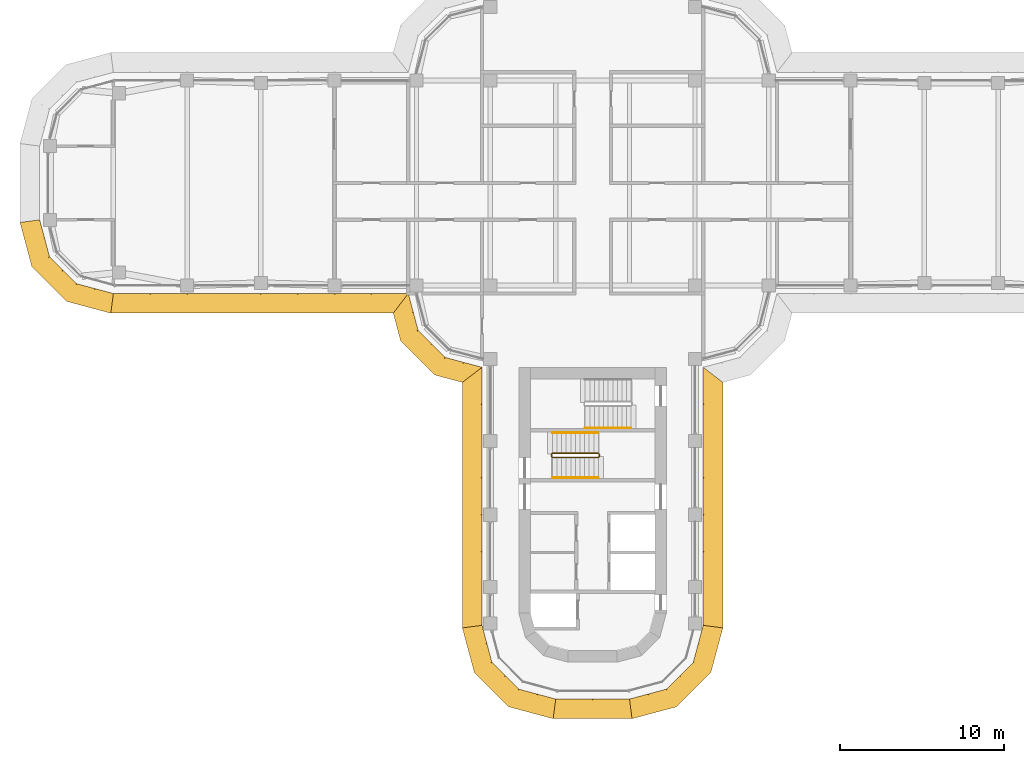
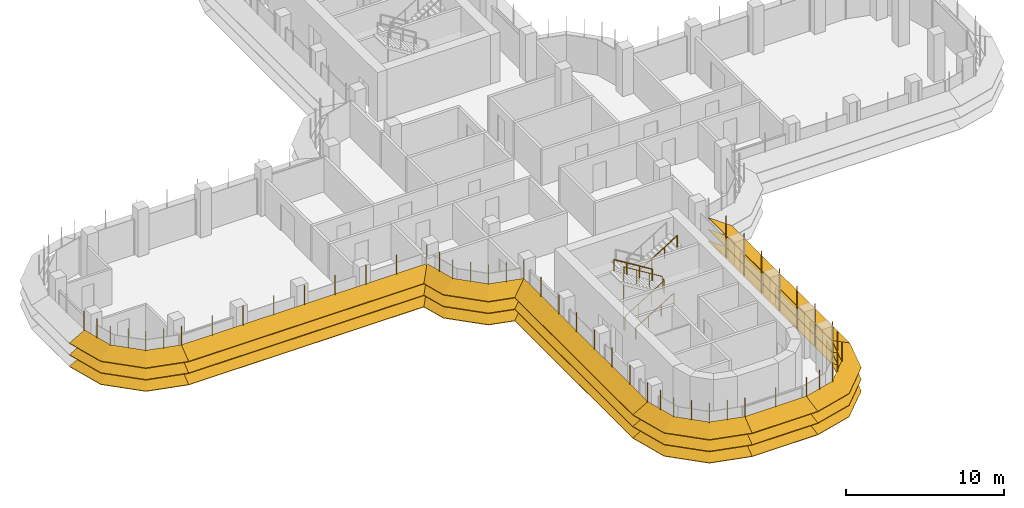
# One storey, part 16 of 19: 8 shading devices, 4 railings.
"""IFC4 building model written with IfcOpenShell, lengths in metres."""

from ifc_helpers import new_model, si_unit, direction, frame, origin, origin_2d, place, context, subcontext, project, spatial, polyline, circle, outline, extrude, faceted_brep, source, transform, mapped, material, type_object, element, save


model = new_model("IFC4")

# Units and contexts
model_context = context("Model", 3, precision=1e-05, world=origin(), true_north=direction((0.0, 1.0)))
body_context = subcontext(model_context, "Body", "Model", "MODEL_VIEW")
ifc_project = project(units=[si_unit("LENGTHUNIT", "METRE"), si_unit("AREAUNIT", "SQUARE_METRE"), si_unit("VOLUMEUNIT", "CUBIC_METRE"), si_unit("PLANEANGLEUNIT", "RADIAN"), si_unit("MASSUNIT", "GRAM", prefix="KILO")], contexts=[model_context])

# Site, building, storey
site_placement = place(None, origin())
site = spatial("IfcSite", under=ifc_project, at=site_placement, CompositionType="ELEMENT")
building_placement = place(site_placement, origin())
building = spatial("IfcBuilding", under=site, at=building_placement, Name="Zarbagh Exchange Tower", CompositionType="ELEMENT")
storey_placement = place(building_placement, frame((0.0, 0.0, 160.0)))
storey = spatial("IfcBuildingStorey", under=building, at=storey_placement, Name="L38", CompositionType="ELEMENT", Elevation=160.0)

# Railings
ifc_material_1 = material(Name="Stainless steel", Category="steel")
railing_type_1 = type_object("IfcRailingType", Name="Stair guard 1100 mm", PredefinedType="GUARDRAIL", material=ifc_material_1)
railing_1_placement = place(storey_placement, frame((0.35009765625, -16.5, 2.07275390625)))
element("IfcRailing", 1, at=railing_1_placement, inside=storey, type_object=railing_type_1, Name="ST3 stair guard 1", PredefinedType="GUARDRAIL", context=body_context, shape_type="SweptSolid", body=[
    extrude(circle(Radius=0.02392578125, at=origin_2d()), frame((0.0, 0.0, 1.076171875), z_axis=(-0.851089632645, 0.0, 0.525020415988), x_axis=(0.0, -1.0, 0.0)), (0.0, 0.0, 1.0), 3.2900390625),
    extrude(circle(Radius=0.02392578125, at=origin_2d()), frame((-2.800048828125, 0.0, 2.80322265625), z_axis=(-0.013168290981, -0.013168290981, -0.999826581076), x_axis=(0.707106781187, -0.707106781187, 0.0)), (0.0, 0.0, 1.0), 3.80078125),
    extrude(circle(Radius=0.02392578125, at=origin_2d()), frame((-2.85009765625, -0.050048828125, -0.99658203125), z_axis=(0.0, -1.0, 0.0), x_axis=(1.0, 0.0, 0.0)), (0.0, 0.0, 1.0), 0.14990234375),
    extrude(circle(Radius=0.02392578125, at=origin_2d()), frame((-2.85009765625, -0.199951171875, -0.99658203125), z_axis=(0.268277960024, -0.268277960024, 0.925231793839), x_axis=(0.707106781187, 0.707106781187, 0.0)), (0.0, 0.0, 1.0), 0.1865234375),
    extrude(circle(Radius=0.02392578125, at=origin_2d()), frame((-2.800048828125, -0.25, -0.82421875), z_axis=(0.851089632645, 0.0, 0.525020415988), x_axis=(0.0, 1.0, 0.0)), (0.0, 0.0, 1.0), 3.2900390625),
    extrude(circle(Radius=0.02392578125, at=origin_2d()), frame((0.0, -0.25, 0.9033203125), z_axis=(0.705375805398, 0.708833529934, 0.0), x_axis=(-0.708833529934, 0.705375805398, 0.0)), (0.0, 0.0, 1.0), 0.070556640625),
    extrude(circle(Radius=0.02392578125, at=origin_2d()), frame((0.0498046875, -0.199951171875, 0.9033203125), z_axis=(0.0, 1.0, 0.0), x_axis=(-1.0, 0.0, 0.0)), (0.0, 0.0, 1.0), 0.14990234375),
    extrude(circle(Radius=0.02099609375, at=origin_2d()), origin(), (0.0, 0.0, 1.0), 1.052001953125),
    extrude(circle(Radius=0.02099609375, at=origin_2d()), frame((-0.933349609375, 0.0, 0.57568359375)), (0.0, 0.0, 1.0), 1.052001953125),
    extrude(circle(Radius=0.02099609375, at=origin_2d()), frame((-1.86669921875, 0.0, 1.151611328125)), (0.0, 0.0, 1.0), 1.052001953125),
    extrude(circle(Radius=0.02099609375, at=origin_2d()), frame((-2.800048828125, 0.0, 1.727294921875)), (0.0, 0.0, 1.0), 1.052001953125),
    extrude(circle(Radius=0.02099609375, at=origin_2d()), frame((-2.8125, -0.012451171875, 0.77734375)), (0.0, 0.0, 1.0), 1.052001953125),
    extrude(circle(Radius=0.02099609375, at=origin_2d()), frame((-2.8251953125, -0.02490234375, -0.1728515625)), (0.0, 0.0, 1.0), 1.052001953125),
    extrude(circle(Radius=0.02099609375, at=origin_2d()), frame((-2.837646484375, -0.03759765625, -1.122802734375)), (0.0, 0.0, 1.0), 1.052001953125),
    extrude(circle(Radius=0.02099609375, at=origin_2d()), frame((-2.85009765625, -0.050048828125, -2.07275390625)), (0.0, 0.0, 1.0), 1.052001953125),
    extrude(circle(Radius=0.02099609375, at=origin_2d()), frame((-2.85009765625, -0.199951171875, -2.07275390625)), (0.0, 0.0, 1.0), 1.052001953125),
    extrude(circle(Radius=0.02099609375, at=origin_2d()), frame((-2.800048828125, -0.25, -1.900146484375)), (0.0, 0.0, 1.0), 1.052001953125),
    extrude(circle(Radius=0.02099609375, at=origin_2d()), frame((-1.86669921875, -0.25, -1.324462890625)), (0.0, 0.0, 1.0), 1.052001953125),
    extrude(circle(Radius=0.02099609375, at=origin_2d()), frame((-0.933349609375, -0.25, -0.74853515625)), (0.0, 0.0, 1.0), 1.052001953125),
    extrude(circle(Radius=0.02099609375, at=origin_2d()), frame((0.0, -0.25, -0.1728515625)), (0.0, 0.0, 1.0), 1.052001953125),
    extrude(circle(Radius=0.02099609375, at=origin_2d()), frame((0.0498046875, -0.199951171875, -0.1728515625)), (0.0, 0.0, 1.0), 1.052001953125),
    extrude(circle(Radius=0.02099609375, at=origin_2d()), frame((0.0498046875, -0.050048828125, -0.1728515625)), (0.0, 0.0, 1.0), 1.052001953125),
])
railing_type_2 = type_object("IfcRailingType", Name="Stair handrail 900 mm", PredefinedType="HANDRAIL", material=ifc_material_1)
railing_2_placement = place(storey_placement, frame((-2.449951171875, -18.0, 0.172607421875)))
element("IfcRailing", 2, at=railing_2_placement, inside=storey, type_object=railing_type_2, Name="ST3 stair handrail 1", PredefinedType="HANDRAIL", context=body_context, shape_type="SweptSolid", body=[
    extrude(circle(Radius=0.02392578125, at=origin_2d()), frame((0.0, 0.0, 0.8759765625), z_axis=(0.851089632645, 0.0, 0.525020415988), x_axis=(0.0, 1.0, 0.0)), (0.0, 0.0, 1.0), 3.2900390625),
    extrude(circle(Radius=0.02099609375, at=origin_2d()), origin(), (0.0, 0.0, 1.0), 0.851806640625),
    extrude(circle(Radius=0.02099609375, at=origin_2d()), frame((0.933349609375, 0.0, 0.57568359375)), (0.0, 0.0, 1.0), 0.851806640625),
    extrude(circle(Radius=0.02099609375, at=origin_2d()), frame((1.86669921875, 0.0, 1.151611328125)), (0.0, 0.0, 1.0), 0.851806640625),
    extrude(circle(Radius=0.02099609375, at=origin_2d()), frame((2.800048828125, 0.0, 1.727294921875)), (0.0, 0.0, 1.0), 0.851806640625),
])
railing_3_placement = place(storey_placement, frame((0.35009765625, -15.25, 2.07275390625)))
element("IfcRailing", 3, at=railing_3_placement, inside=storey, type_object=railing_type_2, Name="ST3 stair handrail 2", PredefinedType="HANDRAIL", context=body_context, shape_type="SweptSolid", body=[
    extrude(circle(Radius=0.02392578125, at=origin_2d()), frame((0.0, 0.0, 0.8759765625), z_axis=(-0.851089632645, 0.0, 0.525020415988), x_axis=(0.0, -1.0, 0.0)), (0.0, 0.0, 1.0), 3.2900390625),
    extrude(circle(Radius=0.02099609375, at=origin_2d()), origin(), (0.0, 0.0, 1.0), 0.851806640625),
    extrude(circle(Radius=0.02099609375, at=origin_2d()), frame((-0.933349609375, 0.0, 0.57568359375)), (0.0, 0.0, 1.0), 0.851806640625),
    extrude(circle(Radius=0.02099609375, at=origin_2d()), frame((-1.86669921875, 0.0, 1.151611328125)), (0.0, 0.0, 1.0), 0.851806640625),
    extrude(circle(Radius=0.02099609375, at=origin_2d()), frame((-2.800048828125, 0.0, 1.727294921875)), (0.0, 0.0, 1.0), 0.851806640625),
])
railing_4_placement = place(storey_placement, frame((-0.449951171875, -14.949951171875, 2.07275390625)))
element("IfcRailing", 4, at=railing_4_placement, inside=storey, type_object=railing_type_2, Name="ST4 stair handrail 2", PredefinedType="HANDRAIL", context=body_context, shape_type="SweptSolid", body=[
    extrude(circle(Radius=0.02392578125, at=origin_2d()), frame((0.0, 0.0, 0.8759765625), z_axis=(0.851089632645, 0.0, 0.525020415988), x_axis=(0.0, 1.0, 0.0)), (0.0, 0.0, 1.0), 3.2900390625),
    extrude(circle(Radius=0.02099609375, at=origin_2d()), origin(), (0.0, 0.0, 1.0), 0.851806640625),
    extrude(circle(Radius=0.02099609375, at=origin_2d()), frame((0.933349609375, 0.0, 0.57568359375)), (0.0, 0.0, 1.0), 0.851806640625),
    extrude(circle(Radius=0.02099609375, at=origin_2d()), frame((1.86669921875, 0.0, 1.151611328125)), (0.0, 0.0, 1.0), 0.851806640625),
    extrude(circle(Radius=0.02099609375, at=origin_2d()), frame((2.800048828125, 0.0, 1.727294921875)), (0.0, 0.0, 1.0), 0.851806640625),
])

# Shading devices
ifc_material_2 = material(Name="Anodised aluminium blades and brackets", Category="aluminium")
shading_device_type = type_object("IfcShadingDeviceType", Name="SUNSHADE louvre band, 22.5 degree blades", PredefinedType="JALOUSIE", material=ifc_material_2)
shared_shape_1 = source(origin(), body_context, "Body", "Brep", [
    faceted_brep([(0.0, 0.0, 0.0), (0.0, 0.0, -0.043212890625), (-0.157958984375, -1.199951171875, -0.540283203125), (-0.157958984375, -1.199951171875, -0.4970703125), (2.65087890625, -1.199951171875, -0.4970703125), (2.65087890625, -1.199951171875, -0.540283203125), (2.329345703125, 0.0, -0.043212890625), (2.329345703125, 0.0, 0.0)], [[[0, 1, 2, 3]], [[4, 5, 6, 7]], [[0, 7, 6, 1]], [[1, 6, 5, 2]], [[2, 5, 4, 3]], [[3, 4, 7, 0]]]),
])
shared_shape_2 = source(origin(), body_context, "Body", "Brep", [
    faceted_brep([(0.0, 0.0, 0.0), (0.0, 0.0, -0.043212890625), (-0.321533203125, -1.199951171875, -0.540283203125), (-0.321533203125, -1.199951171875, -0.4970703125), (2.65087890625, -1.199951171875, -0.4970703125), (2.65087890625, -1.199951171875, -0.540283203125), (2.329345703125, 0.0, -0.043212890625), (2.329345703125, 0.0, 0.0)], [[[0, 1, 2, 3]], [[4, 5, 6, 7]], [[0, 7, 6, 1]], [[1, 6, 5, 2]], [[2, 5, 4, 3]], [[3, 4, 7, 0]]]),
])
shared_shape_3 = source(origin(), body_context, "Body", "Brep", [
    faceted_brep([(0.0, 0.0, 0.0), (0.0, 0.0, -0.043212890625), (-0.321533203125, -1.199951171875, -0.540283203125), (-0.321533203125, -1.199951171875, -0.4970703125), (2.4873046875, -1.199951171875, -0.4970703125), (2.4873046875, -1.199951171875, -0.540283203125), (2.329345703125, 0.0, -0.043212890625), (2.329345703125, 0.0, 0.0)], [[[0, 1, 2, 3]], [[4, 5, 6, 7]], [[0, 7, 6, 1]], [[1, 6, 5, 2]], [[2, 5, 4, 3]], [[3, 4, 7, 0]]]),
])
shared_shape_4 = source(origin(), body_context, "Body", "SweptSolid", [
    extrude(outline(polyline([(0.0, -0.012451171875), (0.06005859375, -0.012451171875), (0.06005859375, 0.012451171875), (0.0, 0.012451171875), (0.0, -0.012451171875)])), origin(), (0.0, 0.0, 1.0), 3.353271484375),
])
placement = place(storey_placement, origin())
element("IfcShadingDevice", 5, at=placement, inside=storey, type_object=shading_device_type, Name="SS35 sunshade band", PredefinedType="JALOUSIE", context=body_context, shape_type="MappedRepresentation", body=[
    mapped(shared_shape_1, transform((2.25, -31.5, 2.300048828125), x_axis=(0.965924289636, 0.258824779902, 0.0), y_axis=(-0.258824779902, 0.965924289636, 0.0), z_axis=(0.0, 0.0, 1.0))),
    mapped(shared_shape_1, transform((2.25, -31.5, 1.39990234375), x_axis=(0.965924289636, 0.258824779902, 0.0), y_axis=(-0.258824779902, 0.965924289636, 0.0), z_axis=(0.0, 0.0, 1.0))),
    mapped(shared_shape_1, transform((2.25, -31.5, 0.5), x_axis=(0.965924289636, 0.258824779902, 0.0), y_axis=(-0.258824779902, 0.965924289636, 0.0), z_axis=(0.0, 0.0, 1.0))),
    mapped(shared_shape_2, transform((4.5, -30.897216796875, 2.300048828125), x_axis=(0.707106781187, 0.707106781187, 0.0), y_axis=(-0.707106781187, 0.707106781187, 0.0), z_axis=(0.0, 0.0, 1.0))),
    mapped(shared_shape_2, transform((4.5, -30.897216796875, 1.39990234375), x_axis=(0.707106781187, 0.707106781187, 0.0), y_axis=(-0.707106781187, 0.707106781187, 0.0), z_axis=(0.0, 0.0, 1.0))),
    mapped(shared_shape_2, transform((4.5, -30.897216796875, 0.5), x_axis=(0.707106781187, 0.707106781187, 0.0), y_axis=(-0.707106781187, 0.707106781187, 0.0), z_axis=(0.0, 0.0, 1.0))),
    mapped(shared_shape_3, transform((6.147216796875, -29.25, 2.300048828125), x_axis=(0.258824779902, 0.965924289636, 0.0), y_axis=(-0.965924289636, 0.258824779902, 0.0), z_axis=(0.0, 0.0, 1.0))),
    mapped(shared_shape_3, transform((6.147216796875, -29.25, 1.39990234375), x_axis=(0.258824779902, 0.965924289636, 0.0), y_axis=(-0.965924289636, 0.258824779902, 0.0), z_axis=(0.0, 0.0, 1.0))),
    mapped(shared_shape_3, transform((6.147216796875, -29.25, 0.5), x_axis=(0.258824779902, 0.965924289636, 0.0), y_axis=(-0.965924289636, 0.258824779902, 0.0), z_axis=(0.0, 0.0, 1.0))),
    mapped(shared_shape_4, transform((2.25, -31.5, 0.4267578125), x_axis=(0.130529263012, -0.991444457092, 0.0), y_axis=(0.991444457092, 0.130529263012, 0.0), z_axis=(0.0, 0.0, 1.0))),
    mapped(shared_shape_4, transform((3.375, -31.198486328125, 0.4267578125), x_axis=(0.258825058029, -0.96592421511, 0.0), y_axis=(0.96592421511, 0.258825058029, 0.0), z_axis=(0.0, 0.0, 1.0))),
    mapped(shared_shape_4, transform((4.5, -30.897216796875, 0.4267578125), x_axis=(0.50000275701, -0.866023812018, 0.0), y_axis=(0.866023812018, 0.50000275701, 0.0), z_axis=(0.0, 0.0, 1.0))),
    mapped(shared_shape_4, transform((5.323486328125, -30.073486328125, 0.4267578125), x_axis=(0.707106781187, -0.707106781187, 0.0), y_axis=(0.707106781187, 0.707106781187, 0.0), z_axis=(0.0, 0.0, 1.0))),
    mapped(shared_shape_4, transform((6.147216796875, -29.25, 0.4267578125), x_axis=(0.866023812018, -0.50000275701, 0.0), y_axis=(0.50000275701, 0.866023812018, 0.0), z_axis=(0.0, 0.0, 1.0))),
    mapped(shared_shape_4, transform((6.448486328125, -28.125, 0.4267578125), x_axis=(0.96592421511, -0.258825058029, 0.0), y_axis=(0.258825058029, 0.96592421511, 0.0), z_axis=(0.0, 0.0, 1.0))),
])
element("IfcShadingDevice", 6, at=placement, inside=storey, type_object=shading_device_type, Name="SS19 sunshade band", PredefinedType="JALOUSIE", context=body_context, shape_type="MappedRepresentation", body=[
    mapped(shared_shape_1, transform((-33.75, -2.25, 2.300048828125), x_axis=(0.258824779902, -0.965924289636, 0.0), y_axis=(0.965924289636, 0.258824779902, 0.0), z_axis=(0.0, 0.0, 1.0))),
    mapped(shared_shape_1, transform((-33.75, -2.25, 1.39990234375), x_axis=(0.258824779902, -0.965924289636, 0.0), y_axis=(0.965924289636, 0.258824779902, 0.0), z_axis=(0.0, 0.0, 1.0))),
    mapped(shared_shape_1, transform((-33.75, -2.25, 0.5), x_axis=(0.258824779902, -0.965924289636, 0.0), y_axis=(0.965924289636, 0.258824779902, 0.0), z_axis=(0.0, 0.0, 1.0))),
    mapped(shared_shape_2, transform((-33.147216796875, -4.5, 2.300048828125), x_axis=(0.707106781187, -0.707106781187, 0.0), y_axis=(0.707106781187, 0.707106781187, 0.0), z_axis=(0.0, 0.0, 1.0))),
    mapped(shared_shape_2, transform((-33.147216796875, -4.5, 1.39990234375), x_axis=(0.707106781187, -0.707106781187, 0.0), y_axis=(0.707106781187, 0.707106781187, 0.0), z_axis=(0.0, 0.0, 1.0))),
    mapped(shared_shape_2, transform((-33.147216796875, -4.5, 0.5), x_axis=(0.707106781187, -0.707106781187, 0.0), y_axis=(0.707106781187, 0.707106781187, 0.0), z_axis=(0.0, 0.0, 1.0))),
    mapped(shared_shape_3, transform((-31.5, -6.147216796875, 2.300048828125), x_axis=(0.965924289636, -0.258824779902, 0.0), y_axis=(0.258824779902, 0.965924289636, 0.0), z_axis=(0.0, 0.0, 1.0))),
    mapped(shared_shape_3, transform((-31.5, -6.147216796875, 1.39990234375), x_axis=(0.965924289636, -0.258824779902, 0.0), y_axis=(0.258824779902, 0.965924289636, 0.0), z_axis=(0.0, 0.0, 1.0))),
    mapped(shared_shape_3, transform((-31.5, -6.147216796875, 0.5), x_axis=(0.965924289636, -0.258824779902, 0.0), y_axis=(0.258824779902, 0.965924289636, 0.0), z_axis=(0.0, 0.0, 1.0))),
    mapped(shared_shape_4, transform((-33.75, -2.25, 0.4267578125), x_axis=(-0.991444457092, -0.130529263012, 0.0), y_axis=(0.130529263012, -0.991444457092, 0.0), z_axis=(0.0, 0.0, 1.0))),
    mapped(shared_shape_4, transform((-33.448486328125, -3.375, 0.4267578125), x_axis=(-0.96592421511, -0.258825058029, 0.0), y_axis=(0.258825058029, -0.96592421511, 0.0), z_axis=(0.0, 0.0, 1.0))),
    mapped(shared_shape_4, transform((-33.147216796875, -4.5, 0.4267578125), x_axis=(-0.866023812018, -0.50000275701, 0.0), y_axis=(0.50000275701, -0.866023812018, 0.0), z_axis=(0.0, 0.0, 1.0))),
    mapped(shared_shape_4, transform((-32.323486328125, -5.323486328125, 0.4267578125), x_axis=(-0.707106781187, -0.707106781187, 0.0), y_axis=(0.707106781187, -0.707106781187, 0.0), z_axis=(0.0, 0.0, 1.0))),
    mapped(shared_shape_4, transform((-31.5, -6.147216796875, 0.4267578125), x_axis=(-0.50000275701, -0.866023812018, 0.0), y_axis=(0.866023812018, -0.50000275701, 0.0), z_axis=(0.0, 0.0, 1.0))),
    mapped(shared_shape_4, transform((-30.375, -6.448486328125, 0.4267578125), x_axis=(-0.258825058029, -0.96592421511, 0.0), y_axis=(0.96592421511, -0.258825058029, 0.0), z_axis=(0.0, 0.0, 1.0))),
])
element("IfcShadingDevice", 7, at=placement, inside=storey, type_object=shading_device_type, Name="SS38 sunshade band", PredefinedType="JALOUSIE", context=body_context, shape_type="MappedRepresentation", body=[
    mapped(shared_shape_1, transform((-6.75, -27.0, 2.300048828125), x_axis=(0.258824779902, -0.965924289636, 0.0), y_axis=(0.965924289636, 0.258824779902, 0.0), z_axis=(0.0, 0.0, 1.0))),
    mapped(shared_shape_1, transform((-6.75, -27.0, 1.39990234375), x_axis=(0.258824779902, -0.965924289636, 0.0), y_axis=(0.965924289636, 0.258824779902, 0.0), z_axis=(0.0, 0.0, 1.0))),
    mapped(shared_shape_1, transform((-6.75, -27.0, 0.5), x_axis=(0.258824779902, -0.965924289636, 0.0), y_axis=(0.965924289636, 0.258824779902, 0.0), z_axis=(0.0, 0.0, 1.0))),
    mapped(shared_shape_2, transform((-6.147216796875, -29.25, 2.300048828125), x_axis=(0.707106781187, -0.707106781187, 0.0), y_axis=(0.707106781187, 0.707106781187, 0.0), z_axis=(0.0, 0.0, 1.0))),
    mapped(shared_shape_2, transform((-6.147216796875, -29.25, 1.39990234375), x_axis=(0.707106781187, -0.707106781187, 0.0), y_axis=(0.707106781187, 0.707106781187, 0.0), z_axis=(0.0, 0.0, 1.0))),
    mapped(shared_shape_2, transform((-6.147216796875, -29.25, 0.5), x_axis=(0.707106781187, -0.707106781187, 0.0), y_axis=(0.707106781187, 0.707106781187, 0.0), z_axis=(0.0, 0.0, 1.0))),
    mapped(shared_shape_3, transform((-4.5, -30.897216796875, 2.300048828125), x_axis=(0.965924289636, -0.258824779902, 0.0), y_axis=(0.258824779902, 0.965924289636, 0.0), z_axis=(0.0, 0.0, 1.0))),
    mapped(shared_shape_3, transform((-4.5, -30.897216796875, 1.39990234375), x_axis=(0.965924289636, -0.258824779902, 0.0), y_axis=(0.258824779902, 0.965924289636, 0.0), z_axis=(0.0, 0.0, 1.0))),
    mapped(shared_shape_3, transform((-4.5, -30.897216796875, 0.5), x_axis=(0.965924289636, -0.258824779902, 0.0), y_axis=(0.258824779902, 0.965924289636, 0.0), z_axis=(0.0, 0.0, 1.0))),
    mapped(shared_shape_4, transform((-6.75, -27.0, 0.4267578125), x_axis=(-0.991444457092, -0.130529263012, 0.0), y_axis=(0.130529263012, -0.991444457092, 0.0), z_axis=(0.0, 0.0, 1.0))),
    mapped(shared_shape_4, transform((-6.448486328125, -28.125, 0.4267578125), x_axis=(-0.96592421511, -0.258825058029, 0.0), y_axis=(0.258825058029, -0.96592421511, 0.0), z_axis=(0.0, 0.0, 1.0))),
    mapped(shared_shape_4, transform((-6.147216796875, -29.25, 0.4267578125), x_axis=(-0.866023812018, -0.50000275701, 0.0), y_axis=(0.50000275701, -0.866023812018, 0.0), z_axis=(0.0, 0.0, 1.0))),
    mapped(shared_shape_4, transform((-5.323486328125, -30.073486328125, 0.4267578125), x_axis=(-0.707106781187, -0.707106781187, 0.0), y_axis=(0.707106781187, -0.707106781187, 0.0), z_axis=(0.0, 0.0, 1.0))),
    mapped(shared_shape_4, transform((-4.5, -30.897216796875, 0.4267578125), x_axis=(-0.50000275701, -0.866023812018, 0.0), y_axis=(0.866023812018, -0.50000275701, 0.0), z_axis=(0.0, 0.0, 1.0))),
    mapped(shared_shape_4, transform((-3.375, -31.198486328125, 0.4267578125), x_axis=(-0.258825058029, -0.96592421511, 0.0), y_axis=(0.96592421511, -0.258825058029, 0.0), z_axis=(0.0, 0.0, 1.0))),
])
shared_shape_5 = source(origin(), body_context, "Body", "Brep", [
    faceted_brep([(0.0, 0.0, 0.0), (0.0, 0.0, -0.043212890625), (0.9208984375, -1.199951171875, -0.540283203125), (0.9208984375, -1.199951171875, -0.4970703125), (2.65087890625, -1.199951171875, -0.4970703125), (2.65087890625, -1.199951171875, -0.540283203125), (2.329345703125, 0.0, -0.043212890625), (2.329345703125, 0.0, 0.0)], [[[0, 1, 2, 3]], [[4, 5, 6, 7]], [[0, 7, 6, 1]], [[1, 6, 5, 2]], [[2, 5, 4, 3]], [[3, 4, 7, 0]]]),
])
shared_shape_6 = source(origin(), body_context, "Body", "Brep", [
    faceted_brep([(0.0, 0.0, 0.0), (0.0, 0.0, -0.043212890625), (-0.321533203125, -1.199951171875, -0.540283203125), (-0.321533203125, -1.199951171875, -0.4970703125), (1.40869140625, -1.199951171875, -0.4970703125), (1.40869140625, -1.199951171875, -0.540283203125), (2.329345703125, 0.0, -0.043212890625), (2.329345703125, 0.0, 0.0)], [[[0, 1, 2, 3]], [[4, 5, 6, 7]], [[0, 7, 6, 1]], [[1, 6, 5, 2]], [[2, 5, 4, 3]], [[3, 4, 7, 0]]]),
])
element("IfcShadingDevice", 8, at=placement, inside=storey, type_object=shading_device_type, Name="SS21 sunshade band", PredefinedType="JALOUSIE", context=body_context, shape_type="MappedRepresentation", body=[
    mapped(shared_shape_5, transform((-11.25, -6.75, 2.300048828125), x_axis=(0.258824779902, -0.965924289636, 0.0), y_axis=(0.965924289636, 0.258824779902, 0.0), z_axis=(0.0, 0.0, 1.0))),
    mapped(shared_shape_5, transform((-11.25, -6.75, 1.39990234375), x_axis=(0.258824779902, -0.965924289636, 0.0), y_axis=(0.965924289636, 0.258824779902, 0.0), z_axis=(0.0, 0.0, 1.0))),
    mapped(shared_shape_5, transform((-11.25, -6.75, 0.5), x_axis=(0.258824779902, -0.965924289636, 0.0), y_axis=(0.965924289636, 0.258824779902, 0.0), z_axis=(0.0, 0.0, 1.0))),
    mapped(shared_shape_2, transform((-10.647216796875, -9.0, 2.300048828125), x_axis=(0.707106781187, -0.707106781187, 0.0), y_axis=(0.707106781187, 0.707106781187, 0.0), z_axis=(0.0, 0.0, 1.0))),
    mapped(shared_shape_2, transform((-10.647216796875, -9.0, 1.39990234375), x_axis=(0.707106781187, -0.707106781187, 0.0), y_axis=(0.707106781187, 0.707106781187, 0.0), z_axis=(0.0, 0.0, 1.0))),
    mapped(shared_shape_2, transform((-10.647216796875, -9.0, 0.5), x_axis=(0.707106781187, -0.707106781187, 0.0), y_axis=(0.707106781187, 0.707106781187, 0.0), z_axis=(0.0, 0.0, 1.0))),
    mapped(shared_shape_6, transform((-9.0, -10.647216796875, 2.300048828125), x_axis=(0.965924289636, -0.258824779902, 0.0), y_axis=(0.258824779902, 0.965924289636, 0.0), z_axis=(0.0, 0.0, 1.0))),
    mapped(shared_shape_6, transform((-9.0, -10.647216796875, 1.39990234375), x_axis=(0.965924289636, -0.258824779902, 0.0), y_axis=(0.258824779902, 0.965924289636, 0.0), z_axis=(0.0, 0.0, 1.0))),
    mapped(shared_shape_6, transform((-9.0, -10.647216796875, 0.5), x_axis=(0.965924289636, -0.258824779902, 0.0), y_axis=(0.258824779902, 0.965924289636, 0.0), z_axis=(0.0, 0.0, 1.0))),
    mapped(shared_shape_4, transform((-11.25, -6.75, 0.4267578125), x_axis=(-0.608758892, -0.793355287, 0.0), y_axis=(0.793355287, -0.608758892, 0.0), z_axis=(0.0, 0.0, 1.0))),
    mapped(shared_shape_4, transform((-10.948486328125, -7.875, 0.4267578125), x_axis=(-0.96592421511, -0.258825058029, 0.0), y_axis=(0.258825058029, -0.96592421511, 0.0), z_axis=(0.0, 0.0, 1.0))),
    mapped(shared_shape_4, transform((-10.647216796875, -9.0, 0.4267578125), x_axis=(-0.866023812018, -0.50000275701, 0.0), y_axis=(0.50000275701, -0.866023812018, 0.0), z_axis=(0.0, 0.0, 1.0))),
    mapped(shared_shape_4, transform((-9.823486328125, -9.823486328125, 0.4267578125), x_axis=(-0.707106781187, -0.707106781187, 0.0), y_axis=(0.707106781187, -0.707106781187, 0.0), z_axis=(0.0, 0.0, 1.0))),
    mapped(shared_shape_4, transform((-9.0, -10.647216796875, 0.4267578125), x_axis=(-0.50000275701, -0.866023812018, 0.0), y_axis=(0.866023812018, -0.50000275701, 0.0), z_axis=(0.0, 0.0, 1.0))),
    mapped(shared_shape_4, transform((-7.875, -10.948486328125, 0.4267578125), x_axis=(-0.258825058029, -0.96592421511, 0.0), y_axis=(0.96592421511, -0.258825058029, 0.0), z_axis=(0.0, 0.0, 1.0))),
])
shared_shape_7 = source(origin(), body_context, "Body", "Brep", [
    faceted_brep([(0.0, 0.0, 0.0), (0.0, 0.0, -0.043212890625), (-0.157958984375, -1.199951171875, -0.540283203125), (-0.157958984375, -1.199951171875, -0.4970703125), (14.8291015625, -1.199951171875, -0.4970703125), (14.8291015625, -1.199951171875, -0.540283203125), (15.75, 0.0, -0.043212890625), (15.75, 0.0, 0.0)], [[[0, 1, 2, 3]], [[4, 5, 6, 7]], [[0, 7, 6, 1]], [[1, 6, 5, 2]], [[2, 5, 4, 3]], [[3, 4, 7, 0]]]),
])
element("IfcShadingDevice", 9, at=placement, inside=storey, type_object=shading_device_type, Name="SS36 sunshade band", PredefinedType="JALOUSIE", context=body_context, shape_type="MappedRepresentation", body=[
    mapped(shared_shape_7, transform((6.75, -27.0, 2.300048828125), x_axis=(0.0, 1.0, 0.0), y_axis=(-1.0, 0.0, 0.0), z_axis=(0.0, 0.0, 1.0))),
    mapped(shared_shape_7, transform((6.75, -27.0, 1.39990234375), x_axis=(0.0, 1.0, 0.0), y_axis=(-1.0, 0.0, 0.0), z_axis=(0.0, 0.0, 1.0))),
    mapped(shared_shape_7, transform((6.75, -27.0, 0.5), x_axis=(0.0, 1.0, 0.0), y_axis=(-1.0, 0.0, 0.0), z_axis=(0.0, 0.0, 1.0))),
    mapped(shared_shape_4, transform((6.75, -27.0, 0.4267578125), x_axis=(0.991444457092, -0.130529263012, 0.0), y_axis=(0.130529263012, 0.991444457092, 0.0), z_axis=(0.0, 0.0, 1.0))),
    mapped(shared_shape_4, transform((6.75, -24.75, 0.4267578125), x_axis=(1.0, 0.0, 0.0), y_axis=(0.0, 1.0, 0.0), z_axis=(0.0, 0.0, 1.0))),
    mapped(shared_shape_4, transform((6.75, -22.5, 0.4267578125), x_axis=(1.0, 0.0, 0.0), y_axis=(0.0, 1.0, 0.0), z_axis=(0.0, 0.0, 1.0))),
    mapped(shared_shape_4, transform((6.75, -20.25, 0.4267578125), x_axis=(1.0, 0.0, 0.0), y_axis=(0.0, 1.0, 0.0), z_axis=(0.0, 0.0, 1.0))),
    mapped(shared_shape_4, transform((6.75, -18.0, 0.4267578125), x_axis=(1.0, 0.0, 0.0), y_axis=(0.0, 1.0, 0.0), z_axis=(0.0, 0.0, 1.0))),
    mapped(shared_shape_4, transform((6.75, -15.75, 0.4267578125), x_axis=(1.0, 0.0, 0.0), y_axis=(0.0, 1.0, 0.0), z_axis=(0.0, 0.0, 1.0))),
    mapped(shared_shape_4, transform((6.75, -13.5, 0.4267578125), x_axis=(1.0, 0.0, 0.0), y_axis=(0.0, 1.0, 0.0), z_axis=(0.0, 0.0, 1.0))),
])
shared_shape_8 = source(origin(), body_context, "Body", "Brep", [
    faceted_brep([(0.0, 0.0, 0.0), (0.0, 0.0, -0.043212890625), (-0.157958984375, -1.199951171875, -0.540283203125), (-0.157958984375, -1.199951171875, -0.4970703125), (17.0791015625, -1.199951171875, -0.4970703125), (17.0791015625, -1.199951171875, -0.540283203125), (18.0, 0.0, -0.043212890625), (18.0, 0.0, 0.0)], [[[0, 1, 2, 3]], [[4, 5, 6, 7]], [[0, 7, 6, 1]], [[1, 6, 5, 2]], [[2, 5, 4, 3]], [[3, 4, 7, 0]]]),
])
element("IfcShadingDevice", 10, at=placement, inside=storey, type_object=shading_device_type, Name="SS20 sunshade band", PredefinedType="JALOUSIE", context=body_context, shape_type="MappedRepresentation", body=[
    mapped(shared_shape_8, transform((-29.25, -6.75, 2.300048828125), x_axis=(1.0, 0.0, 0.0), y_axis=(0.0, 1.0, 0.0), z_axis=(0.0, 0.0, 1.0))),
    mapped(shared_shape_8, transform((-29.25, -6.75, 1.39990234375), x_axis=(1.0, 0.0, 0.0), y_axis=(0.0, 1.0, 0.0), z_axis=(0.0, 0.0, 1.0))),
    mapped(shared_shape_8, transform((-29.25, -6.75, 0.5), x_axis=(1.0, 0.0, 0.0), y_axis=(0.0, 1.0, 0.0), z_axis=(0.0, 0.0, 1.0))),
    mapped(shared_shape_4, transform((-29.25, -6.75, 0.4267578125), x_axis=(-0.130529263012, -0.991444457092, 0.0), y_axis=(0.991444457092, -0.130529263012, 0.0), z_axis=(0.0, 0.0, 1.0))),
    mapped(shared_shape_4, transform((-27.0, -6.75, 0.4267578125), x_axis=(0.0, -1.0, 0.0), y_axis=(1.0, 0.0, 0.0), z_axis=(0.0, 0.0, 1.0))),
    mapped(shared_shape_4, transform((-24.75, -6.75, 0.4267578125), x_axis=(0.0, -1.0, 0.0), y_axis=(1.0, 0.0, 0.0), z_axis=(0.0, 0.0, 1.0))),
    mapped(shared_shape_4, transform((-22.5, -6.75, 0.4267578125), x_axis=(0.0, -1.0, 0.0), y_axis=(1.0, 0.0, 0.0), z_axis=(0.0, 0.0, 1.0))),
    mapped(shared_shape_4, transform((-20.25, -6.75, 0.4267578125), x_axis=(0.0, -1.0, 0.0), y_axis=(1.0, 0.0, 0.0), z_axis=(0.0, 0.0, 1.0))),
    mapped(shared_shape_4, transform((-18.0, -6.75, 0.4267578125), x_axis=(0.0, -1.0, 0.0), y_axis=(1.0, 0.0, 0.0), z_axis=(0.0, 0.0, 1.0))),
    mapped(shared_shape_4, transform((-15.75, -6.75, 0.4267578125), x_axis=(0.0, -1.0, 0.0), y_axis=(1.0, 0.0, 0.0), z_axis=(0.0, 0.0, 1.0))),
    mapped(shared_shape_4, transform((-13.5, -6.75, 0.4267578125), x_axis=(0.0, -1.0, 0.0), y_axis=(1.0, 0.0, 0.0), z_axis=(0.0, 0.0, 1.0))),
])
shared_shape_9 = source(origin(), body_context, "Body", "Brep", [
    faceted_brep([(0.0, 0.0, 0.0), (0.0, 0.0, -0.043212890625), (0.9208984375, -1.199951171875, -0.540283203125), (0.9208984375, -1.199951171875, -0.4970703125), (15.907958984375, -1.199951171875, -0.4970703125), (15.907958984375, -1.199951171875, -0.540283203125), (15.75, 0.0, -0.043212890625), (15.75, 0.0, 0.0)], [[[0, 1, 2, 3]], [[4, 5, 6, 7]], [[0, 7, 6, 1]], [[1, 6, 5, 2]], [[2, 5, 4, 3]], [[3, 4, 7, 0]]]),
])
element("IfcShadingDevice", 11, at=placement, inside=storey, type_object=shading_device_type, Name="SS37 sunshade band", PredefinedType="JALOUSIE", context=body_context, shape_type="MappedRepresentation", body=[
    mapped(shared_shape_9, transform((-6.75, -11.25, 2.300048828125), x_axis=(0.0, -1.0, 0.0), y_axis=(1.0, 0.0, 0.0), z_axis=(0.0, 0.0, 1.0))),
    mapped(shared_shape_9, transform((-6.75, -11.25, 1.39990234375), x_axis=(0.0, -1.0, 0.0), y_axis=(1.0, 0.0, 0.0), z_axis=(0.0, 0.0, 1.0))),
    mapped(shared_shape_9, transform((-6.75, -11.25, 0.5), x_axis=(0.0, -1.0, 0.0), y_axis=(1.0, 0.0, 0.0), z_axis=(0.0, 0.0, 1.0))),
    mapped(shared_shape_4, transform((-6.75, -11.25, 0.4267578125), x_axis=(-0.793355287, -0.608758892, 0.0), y_axis=(0.608758892, -0.793355287, 0.0), z_axis=(0.0, 0.0, 1.0))),
    mapped(shared_shape_4, transform((-6.75, -13.5, 0.4267578125), x_axis=(-1.0, 0.0, 0.0), y_axis=(0.0, -1.0, 0.0), z_axis=(0.0, 0.0, 1.0))),
    mapped(shared_shape_4, transform((-6.75, -15.75, 0.4267578125), x_axis=(-1.0, 0.0, 0.0), y_axis=(0.0, -1.0, 0.0), z_axis=(0.0, 0.0, 1.0))),
    mapped(shared_shape_4, transform((-6.75, -18.0, 0.4267578125), x_axis=(-1.0, 0.0, 0.0), y_axis=(0.0, -1.0, 0.0), z_axis=(0.0, 0.0, 1.0))),
    mapped(shared_shape_4, transform((-6.75, -20.25, 0.4267578125), x_axis=(-1.0, 0.0, 0.0), y_axis=(0.0, -1.0, 0.0), z_axis=(0.0, 0.0, 1.0))),
    mapped(shared_shape_4, transform((-6.75, -22.5, 0.4267578125), x_axis=(-1.0, 0.0, 0.0), y_axis=(0.0, -1.0, 0.0), z_axis=(0.0, 0.0, 1.0))),
    mapped(shared_shape_4, transform((-6.75, -24.75, 0.4267578125), x_axis=(-1.0, 0.0, 0.0), y_axis=(0.0, -1.0, 0.0), z_axis=(0.0, 0.0, 1.0))),
])
shared_shape_10 = source(origin(), body_context, "Body", "Brep", [
    faceted_brep([(0.0, 0.0, 0.0), (0.0, 0.0, -0.043212890625), (-0.157958984375, -1.199951171875, -0.540283203125), (-0.157958984375, -1.199951171875, -0.4970703125), (4.657958984375, -1.199951171875, -0.4970703125), (4.657958984375, -1.199951171875, -0.540283203125), (4.5, 0.0, -0.043212890625), (4.5, 0.0, 0.0)], [[[0, 1, 2, 3]], [[4, 5, 6, 7]], [[0, 7, 6, 1]], [[1, 6, 5, 2]], [[2, 5, 4, 3]], [[3, 4, 7, 0]]]),
])
element("IfcShadingDevice", 12, at=placement, inside=storey, type_object=shading_device_type, Name="SS39 sunshade band", PredefinedType="JALOUSIE", context=body_context, shape_type="MappedRepresentation", body=[
    mapped(shared_shape_10, transform((-2.25, -31.5, 2.300048828125), x_axis=(1.0, 0.0, 0.0), y_axis=(0.0, 1.0, 0.0), z_axis=(0.0, 0.0, 1.0))),
    mapped(shared_shape_10, transform((-2.25, -31.5, 1.39990234375), x_axis=(1.0, 0.0, 0.0), y_axis=(0.0, 1.0, 0.0), z_axis=(0.0, 0.0, 1.0))),
    mapped(shared_shape_10, transform((-2.25, -31.5, 0.5), x_axis=(1.0, 0.0, 0.0), y_axis=(0.0, 1.0, 0.0), z_axis=(0.0, 0.0, 1.0))),
    mapped(shared_shape_4, transform((-2.25, -31.5, 0.4267578125), x_axis=(-0.130529263012, -0.991444457092, 0.0), y_axis=(0.991444457092, -0.130529263012, 0.0), z_axis=(0.0, 0.0, 1.0))),
    mapped(shared_shape_4, transform((0.0, -31.5, 0.4267578125), x_axis=(0.0, -1.0, 0.0), y_axis=(1.0, 0.0, 0.0), z_axis=(0.0, 0.0, 1.0))),
])

save(model, "model.ifc")
